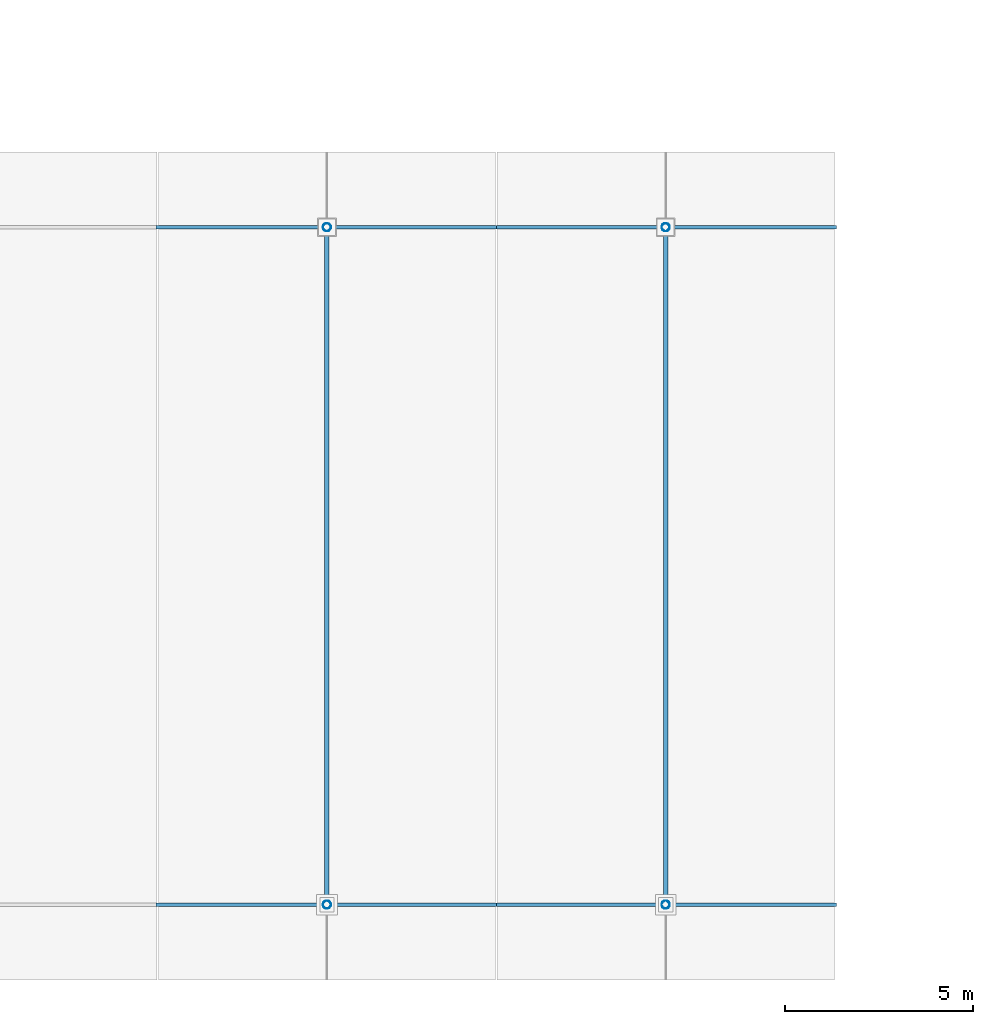
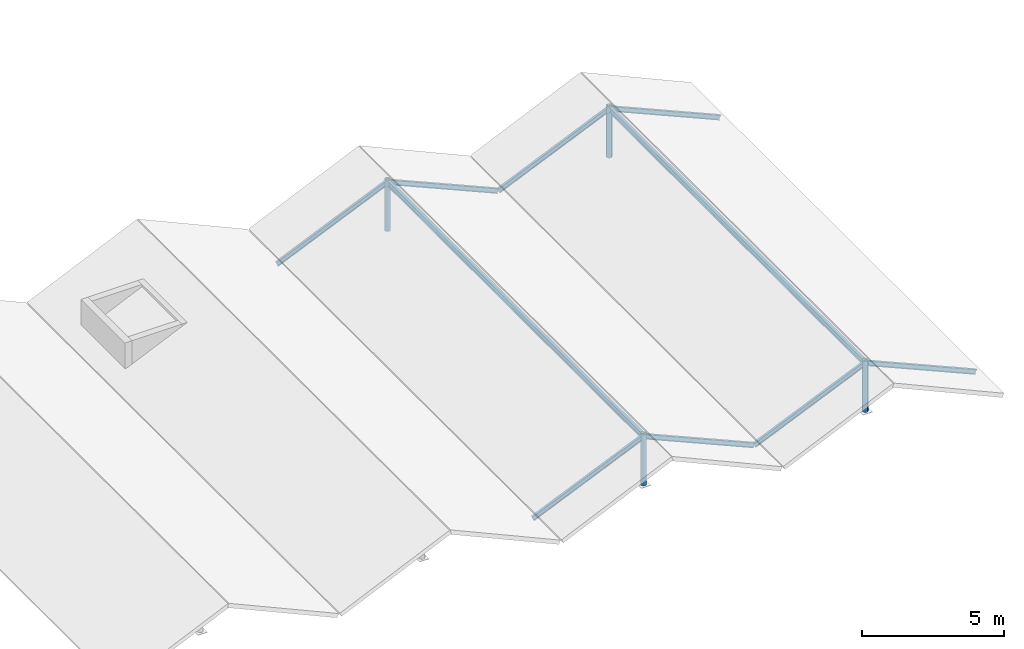
# One storey, part 26 of 70: 10 beams, 4 members.
"""IFC4 building model written with IfcOpenShell, lengths in metres."""

from ifc_helpers import new_model, si_unit, direction, frame, origin, origin_2d, place, context, subcontext, project, spatial, hollow_circle, i_section, extrude, material, material_profile, profile_set, type_object, element, save


model = new_model("IFC4")

# Units and contexts
model_context = context("Model", 3, precision=1e-05, world=origin(), true_north=direction((0.0, 1.0)))
body_context = subcontext(model_context, "Body", "Model", "MODEL_VIEW")
ifc_project = project(units=[si_unit("LENGTHUNIT", "METRE"), si_unit("AREAUNIT", "SQUARE_METRE"), si_unit("VOLUMEUNIT", "CUBIC_METRE"), si_unit("PLANEANGLEUNIT", "RADIAN"), si_unit("MASSUNIT", "GRAM", prefix="KILO")], contexts=[model_context])

# Site, building, storey
site_placement = place(None, origin())
site = spatial("IfcSite", under=ifc_project, at=site_placement, CompositionType="ELEMENT")
building_placement = place(site_placement, origin())
building = spatial("IfcBuilding", under=site, at=building_placement, Name="Zimvara Arc Housing Community", CompositionType="ELEMENT")
storey_placement = place(building_placement, frame((0.0, 0.0, 8.10009765625)))
storey = spatial("IfcBuildingStorey", under=building, at=storey_placement, Name="L02", CompositionType="ELEMENT", Elevation=8.10009765625)

# Beams
ifc_material_1 = material(Name="Steel S355", Category="steel")
ifc_material_profile_1 = material_profile(ifc_material_1, i_section(OverallWidth=0.10009765625, OverallDepth=0.199951171875, WebThickness=0.005615234375, FlangeThickness=0.008544921875, FilletRadius=0.011962890625, at=origin_2d()), Name="IPE 200")
ifc_profile_set_1 = profile_set([ifc_material_profile_1], Name="Steel S355")
beam_type_1 = type_object("IfcBeamType", Name="BM-ST-IPE200", PredefinedType="JOIST", material=ifc_profile_set_1)
for number, where, z_axis, x_axis, name in (
    (1, (130.0, 3.60009765625, -0.64013671875), (0.916813652849, 0.0, 0.399315321456), (0.0, 1.0, 0.0), "bm:nursery:L02:raf_w:b2:y0"),
    (2, (134.5, 3.60009765625, 1.31982421875), (0.916813652849, 0.0, -0.399315321456), (0.0, 1.0, 0.0), "bm:nursery:L02:raf_e:b2:y0"),
    (3, (130.0, 21.60009765625, -0.64013671875), (0.916813652849, 0.0, 0.399315321456), (0.0, 1.0, 0.0), "bm:nursery:L02:raf_w:b2:y1"),
    (4, (134.5, 21.60009765625, 1.31982421875), (0.916813652849, 0.0, -0.399315321456), (0.0, 1.0, 0.0), "bm:nursery:L02:raf_e:b2:y1"),
    (5, (139.0, 3.60009765625, -0.64013671875), (0.916813652849, 0.0, 0.399315321456), (0.0, 1.0, 0.0), "bm:nursery:L02:raf_w:b3:y0"),
    (6, (143.5, 3.60009765625, 1.31982421875), (0.916813652849, 0.0, -0.399315321456), (0.0, 1.0, 0.0), "bm:nursery:L02:raf_e:b3:y0"),
    (7, (139.0, 21.60009765625, -0.64013671875), (0.916813652849, 0.0, 0.399315321456), (0.0, 1.0, 0.0), "bm:nursery:L02:raf_w:b3:y1"),
    (8, (143.5, 21.60009765625, 1.31982421875), (0.916813652849, 0.0, -0.399315321456), (0.0, 1.0, 0.0), "bm:nursery:L02:raf_e:b3:y1"),
):
    element("IfcBeam", number, at=place(storey_placement, frame(where, z_axis=z_axis, x_axis=x_axis)), inside=storey, type_object=beam_type_1, Name=name, PredefinedType="JOIST", context=body_context, shape_type="SweptSolid", body=[
        extrude(i_section(OverallWidth=0.10009765625, OverallDepth=0.199951171875, WebThickness=0.005615234375, FlangeThickness=0.008544921875, FilletRadius=0.011962890625, at=origin_2d()), origin(), (0.0, 0.0, 1.0), 4.908203125),
    ])
ifc_material_2 = material(Name="Steel S355", Category="steel")
ifc_material_profile_2 = material_profile(ifc_material_2, i_section(OverallWidth=0.1201171875, OverallDepth=0.239990234375, WebThickness=0.006103515625, FlangeThickness=0.009765625, FilletRadius=0.014892578125, at=origin_2d()), Name="IPE 240")
ifc_profile_set_2 = profile_set([ifc_material_profile_2], Name="Steel S355")
beam_type_2 = type_object("IfcBeamType", Name="BM-ST-IPE240", PredefinedType="JOIST", material=ifc_profile_set_2)
for number, where, z_axis, x_axis, name in (
    (9, (134.5, 3.60009765625, 1.31982421875), (0.0, 1.0, 0.0), (-1.0, 0.0, 0.0), "bm:nursery:L02:crest_bm:b2"),
    (10, (143.5, 3.60009765625, 1.31982421875), (0.0, 1.0, 0.0), (-1.0, 0.0, 0.0), "bm:nursery:L02:crest_bm:b3"),
):
    element("IfcBeam", number, at=place(storey_placement, frame(where, z_axis=z_axis, x_axis=x_axis)), inside=storey, type_object=beam_type_2, Name=name, PredefinedType="JOIST", context=body_context, shape_type="SweptSolid", body=[
        extrude(i_section(OverallWidth=0.1201171875, OverallDepth=0.239990234375, WebThickness=0.006103515625, FlangeThickness=0.009765625, FilletRadius=0.014892578125, at=origin_2d()), origin(), (0.0, 0.0, 1.0), 18.0),
    ])

# Members
ifc_material_3 = material(Name="Steel S355", Category="steel")
ifc_material_profile_3 = material_profile(ifc_material_3, hollow_circle(Radius=0.109619140625, WallThickness=0.008056640625, at=origin_2d()), Name="CHS 219.1x8.0")
ifc_profile_set_3 = profile_set([ifc_material_profile_3], Name="Steel S355")
member_type = type_object("IfcMemberType", Name="MB-STRUT-CHS219", PredefinedType="STRUT", material=ifc_profile_set_3)
for number, where, z_axis, x_axis, name in (
    (11, (134.5, 3.60009765625, -0.75), (0.0, 0.0, 1.0), (1.0, 0.0, 0.0), "mb:nursery:L02:crest_strut:b2:y0"),
    (12, (134.5, 21.60009765625, -0.75), (0.0, 0.0, 1.0), (1.0, 0.0, 0.0), "mb:nursery:L02:crest_strut:b2:y1"),
    (13, (143.5, 3.60009765625, -0.75), (0.0, 0.0, 1.0), (1.0, 0.0, 0.0), "mb:nursery:L02:crest_strut:b3:y0"),
    (14, (143.5, 21.60009765625, -0.75), (0.0, 0.0, 1.0), (1.0, 0.0, 0.0), "mb:nursery:L02:crest_strut:b3:y1"),
):
    element("IfcMember", number, at=place(storey_placement, frame(where, z_axis=z_axis, x_axis=x_axis)), inside=storey, type_object=member_type, Name=name, PredefinedType="STRUT", context=body_context, shape_type="SweptSolid", body=[
        extrude(hollow_circle(Radius=0.109619140625, WallThickness=0.008056640625, at=origin_2d()), origin(), (0.0, 0.0, 1.0), 2.199951171875),
    ])

save(model, "model.ifc")
